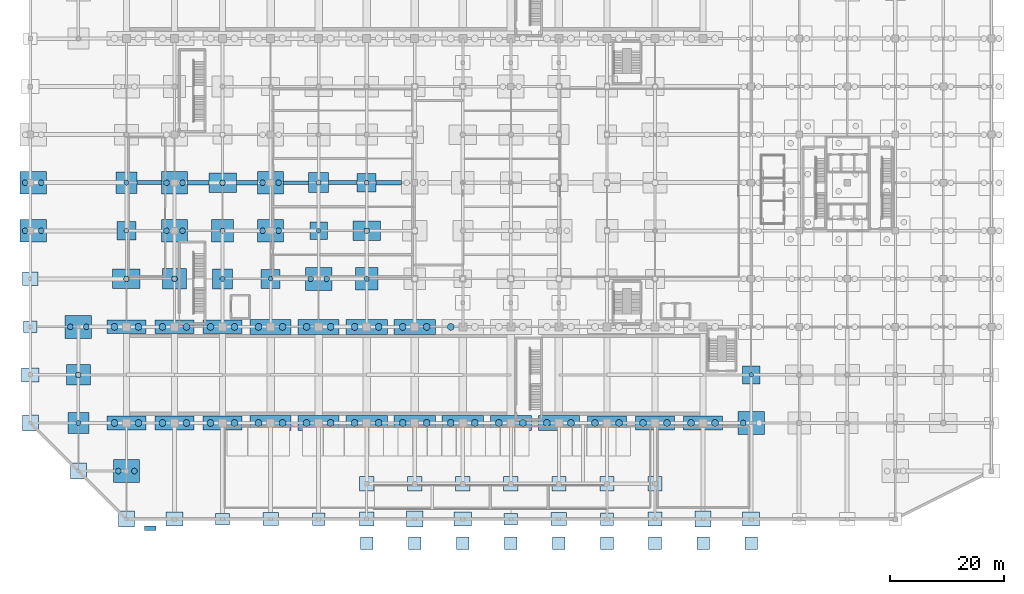
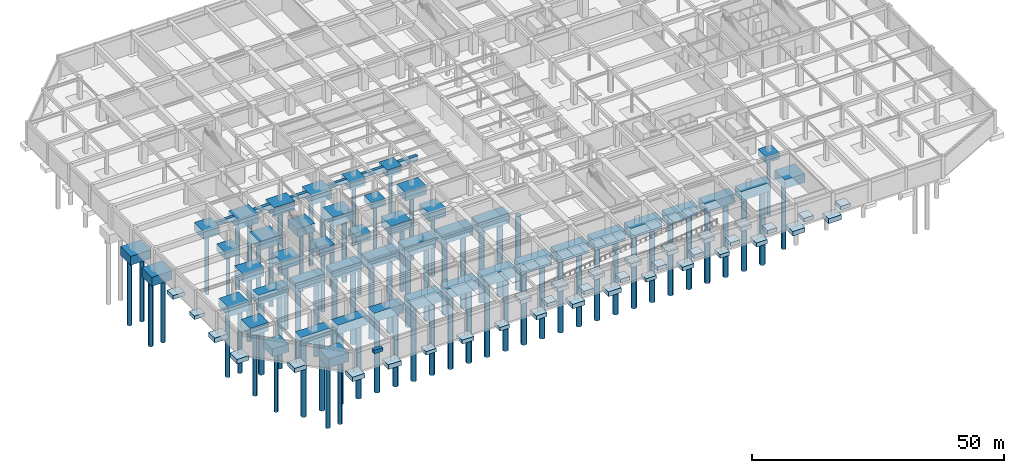
# One storey, part 1 of 26: 88 footings, 76 piles.
"""IFC4 building model written with IfcOpenShell, lengths in metres."""

from ifc_helpers import new_model, si_unit, direction, frame, origin, origin_2d, place, context, subcontext, project, spatial, rectangle, circle, extrude, material, material_profile, profile_set, type_object, element, save


model = new_model("IFC4")

# Units and contexts
model_context = context("Model", 3, precision=1e-05, world=origin(), true_north=direction((0.0, 1.0)))
body_context = subcontext(model_context, "Body", "Model", "MODEL_VIEW")
ifc_project = project(units=[si_unit("LENGTHUNIT", "METRE"), si_unit("AREAUNIT", "SQUARE_METRE"), si_unit("VOLUMEUNIT", "CUBIC_METRE"), si_unit("PLANEANGLEUNIT", "RADIAN"), si_unit("MASSUNIT", "GRAM", prefix="KILO")], contexts=[model_context])

# Site, building, storey
site_placement = place(None, origin())
site = spatial("IfcSite", under=ifc_project, at=site_placement, CompositionType="ELEMENT")
building_placement = place(site_placement, origin())
building = spatial("IfcBuilding", under=site, at=building_placement, Name="Xuanlan Plaza Opera House", CompositionType="ELEMENT")
storey_placement = place(building_placement, frame((0.0, 0.0, -5.39990234375)))
storey = spatial("IfcBuildingStorey", under=building, at=storey_placement, Name="B01", CompositionType="ELEMENT", Elevation=-5.39990234375)

# Footings
ifc_material_1 = material(Name="Concrete C40", Category="concrete")
footing_type_1 = type_object("IfcFootingType", Name="STR-FTG-FB-01", PredefinedType="FOOTING_BEAM", material=ifc_material_1)
footing_1_placement = place(storey_placement, frame((20.77490234375, 58.800048828125, -1.0), z_axis=(0.0, 0.0, 1.0), x_axis=(1.0, 0.0, 0.0)))
element("IfcFooting", 1, at=footing_1_placement, inside=storey, type_object=footing_type_1, Name="Foundation Tie Beam 3-4/H", PredefinedType="FOOTING_BEAM", context=body_context, shape_type="SweptSolid", body=[
    extrude(rectangle(XDim=4.25, YDim=0.699951171875, at=origin_2d()), origin(), (0.0, 0.0, 1.0), 1.0),
])
footing_2_placement = place(storey_placement, frame((54.64990234375, 58.800048828125, -1.0), z_axis=(0.0, 0.0, 1.0), x_axis=(1.0, 0.0, 0.0)))
element("IfcFooting", 2, at=footing_2_placement, inside=storey, type_object=footing_type_1, Name="Foundation Tie Beam 7-8/H", PredefinedType="FOOTING_BEAM", context=body_context, shape_type="SweptSolid", body=[
    extrude(rectangle(XDim=5.0, YDim=0.699951171875, at=origin_2d()), origin(), (0.0, 0.0, 1.0), 1.0),
])
footing_type_2 = type_object("IfcFootingType", Name="STR-FTG-FB-02", PredefinedType="FOOTING_BEAM", material=ifc_material_1)
footing_3_placement = place(storey_placement, frame((29.35009765625, 58.800048828125, -1.10009765625), z_axis=(0.0, 0.0, 1.0), x_axis=(1.0, 0.0, 0.0)))
element("IfcFooting", 3, at=footing_3_placement, inside=storey, type_object=footing_type_2, Name="Foundation Tie Beam 4-5/H", PredefinedType="FOOTING_BEAM", context=body_context, shape_type="SweptSolid", body=[
    extrude(rectangle(XDim=3.699951171875, YDim=0.800048828125, at=origin_2d()), origin(), (0.0, 0.0, 1.0), 1.10009765625),
])
footing_4_placement = place(storey_placement, frame((62.675048828125, 58.800048828125, -1.10009765625), z_axis=(0.0, 0.0, 1.0), x_axis=(1.0, 0.0, 0.0)))
element("IfcFooting", 4, at=footing_4_placement, inside=storey, type_object=footing_type_2, Name="Foundation Tie Beam 8-9/H", PredefinedType="FOOTING_BEAM", context=body_context, shape_type="SweptSolid", body=[
    extrude(rectangle(XDim=4.449951171875, YDim=0.800048828125, at=origin_2d()), origin(), (0.0, 0.0, 1.0), 1.10009765625),
])
footing_type_3 = type_object("IfcFootingType", Name="STR-FTG-FB-03", PredefinedType="FOOTING_BEAM", material=ifc_material_1)
footing_5_placement = place(storey_placement, frame((37.85009765625, 58.800048828125, -1.05029296875), z_axis=(0.0, 0.0, 1.0), x_axis=(1.0, 0.0, 0.0)))
element("IfcFooting", 5, at=footing_5_placement, inside=storey, type_object=footing_type_3, Name="Foundation Tie Beam 5-6/H", PredefinedType="FOOTING_BEAM", context=body_context, shape_type="SweptSolid", body=[
    extrude(rectangle(XDim=3.699951171875, YDim=0.75, at=origin_2d()), origin(), (0.0, 0.0, 1.0), 1.050048828125),
])
footing_type_4 = type_object("IfcFootingType", Name="STR-FTG-FB-04", PredefinedType="FOOTING_BEAM", material=ifc_material_1)
footing_6_placement = place(storey_placement, frame((46.47509765625, 58.800048828125, -0.9501953125), z_axis=(0.0, 0.0, 1.0), x_axis=(1.0, 0.0, 0.0)))
element("IfcFooting", 6, at=footing_6_placement, inside=storey, type_object=footing_type_4, Name="Foundation Tie Beam 6-7/H", PredefinedType="FOOTING_BEAM", context=body_context, shape_type="SweptSolid", body=[
    extrude(rectangle(XDim=4.35009765625, YDim=0.64990234375, at=origin_2d()), origin(), (0.0, 0.0, 1.0), 0.949951171875),
])
footing_type_5 = type_object("IfcFootingType", Name="STR-FTG-PC-01", PredefinedType="PILE_CAP", material=ifc_material_1)
for number, where, z_axis, x_axis, name in (
    (7, (50.39990234375, 50.39990234375, -1.60009765625), (0.0, 0.0, 1.0), (1.0, 0.0, 0.0), "Podium Pile Cap 7-G"),
    (8, (126.0, 25.199951171875, -1.60009765625), (0.0, 0.0, 1.0), (1.0, 0.0, 0.0), "Podium Pile Cap 16-D"),
):
    element("IfcFooting", number, at=place(storey_placement, frame(where, z_axis=z_axis, x_axis=x_axis)), inside=storey, type_object=footing_type_5, Name=name, PredefinedType="PILE_CAP", context=body_context, shape_type="SweptSolid", body=[
        extrude(rectangle(XDim=3.10009765625, YDim=3.10009765625, at=origin_2d()), origin(), (0.0, 0.0, 1.0), 1.60009765625),
    ])
footing_type_6 = type_object("IfcFootingType", Name="STR-FTG-PC-02", PredefinedType="PILE_CAP", material=ifc_material_1)
for number, where, z_axis, x_axis, name in (
    (9, (33.60009765625, 42.0, -1.80029296875), (0.0, 0.0, 1.0), (1.0, 0.0, 0.0), "Podium Pile Cap 5-F"),
    (10, (50.39990234375, 58.800048828125, -1.80029296875), (0.0, 0.0, 1.0), (1.0, 0.0, 0.0), "Podium Pile Cap 7-H"),
):
    element("IfcFooting", number, at=place(storey_placement, frame(where, z_axis=z_axis, x_axis=x_axis)), inside=storey, type_object=footing_type_6, Name=name, PredefinedType="PILE_CAP", context=body_context, shape_type="SweptSolid", body=[
        extrude(rectangle(XDim=3.5, YDim=3.5, at=origin_2d()), origin(), (0.0, 0.0, 1.0), 1.800048828125),
    ])
ifc_material_2 = material(Name="Concrete C50", Category="concrete")
footing_type_7 = type_object("IfcFootingType", Name="STR-FTG-PC-03", PredefinedType="PILE_CAP", material=ifc_material_2)
for number, where, z_axis, x_axis, name in (
    (11, (33.60009765625, 50.39990234375, -2.0), (0.0, 0.0, 1.0), (1.0, 0.0, 0.0), "Podium Pile Cap 5-G"),
    (12, (58.800048828125, 42.0, -2.0), (0.0, 0.0, 1.0), (1.0, 0.0, 0.0), "Podium Pile Cap 8-F"),
):
    element("IfcFooting", number, at=place(storey_placement, frame(where, z_axis=z_axis, x_axis=x_axis)), inside=storey, type_object=footing_type_7, Name=name, PredefinedType="PILE_CAP", context=body_context, shape_type="SweptSolid", body=[
        extrude(rectangle(XDim=3.89990234375, YDim=3.89990234375, at=origin_2d()), origin(), (0.0, 0.0, 1.0), 2.0),
    ])
footing_type_8 = type_object("IfcFootingType", Name="STR-FTG-PC-05", PredefinedType="PILE_CAP", material=ifc_material_2)
for number, where, z_axis, x_axis, name in (
    (13, (16.800048828125, 16.800048828125, -2.2001953125), (0.0, 0.0, 1.0), (1.0, 0.0, 0.0), "Metro Transfer Pile Cap 3-C"),
    (14, (16.800048828125, 33.60009765625, -2.2001953125), (0.0, 0.0, 1.0), (1.0, 0.0, 0.0), "Metro Transfer Pile Cap 3-E"),
    (15, (25.199951171875, 16.800048828125, -2.2001953125), (0.0, 0.0, 1.0), (1.0, 0.0, 0.0), "Metro Transfer Pile Cap 4-C"),
    (16, (25.199951171875, 33.60009765625, -2.2001953125), (0.0, 0.0, 1.0), (1.0, 0.0, 0.0), "Metro Transfer Pile Cap 4-E"),
    (17, (33.60009765625, 16.800048828125, -2.2001953125), (0.0, 0.0, 1.0), (1.0, 0.0, 0.0), "Metro Transfer Pile Cap 5-C"),
    (18, (33.60009765625, 33.60009765625, -2.2001953125), (0.0, 0.0, 1.0), (1.0, 0.0, 0.0), "Metro Transfer Pile Cap 5-E"),
    (19, (100.800048828125, 16.800048828125, -2.2001953125), (0.0, 0.0, 1.0), (1.0, 0.0, 0.0), "Metro Transfer Pile Cap 13-C"),
    (20, (109.199951171875, 16.800048828125, -2.2001953125), (0.0, 0.0, 1.0), (1.0, 0.0, 0.0), "Metro Transfer Pile Cap 14-C"),
    (21, (117.60009765625, 16.800048828125, -2.2001953125), (0.0, 0.0, 1.0), (1.0, 0.0, 0.0), "Metro Transfer Pile Cap 15-C"),
):
    element("IfcFooting", number, at=place(storey_placement, frame(where, z_axis=z_axis, x_axis=x_axis)), inside=storey, type_object=footing_type_8, Name=name, PredefinedType="PILE_CAP", context=body_context, shape_type="SweptSolid", body=[
        extrude(rectangle(XDim=6.800048828125, YDim=2.39990234375, at=origin_2d()), origin(), (0.0, 0.0, 1.0), 2.199951171875),
    ])
footing_type_9 = type_object("IfcFootingType", Name="STR-FTG-PC-06", PredefinedType="PILE_CAP", material=ifc_material_2)
for number, where, z_axis, x_axis, name in (
    (22, (42.0, 16.800048828125, -2.400146484375), (0.0, 0.0, 1.0), (1.0, 0.0, 0.0), "Metro Transfer Pile Cap 6-C"),
    (23, (42.0, 33.60009765625, -2.400146484375), (0.0, 0.0, 1.0), (1.0, 0.0, 0.0), "Metro Transfer Pile Cap 6-E"),
    (24, (50.39990234375, 16.800048828125, -2.400146484375), (0.0, 0.0, 1.0), (1.0, 0.0, 0.0), "Metro Transfer Pile Cap 7-C"),
    (25, (50.39990234375, 33.60009765625, -2.400146484375), (0.0, 0.0, 1.0), (1.0, 0.0, 0.0), "Metro Transfer Pile Cap 7-E"),
    (26, (58.800048828125, 16.800048828125, -2.400146484375), (0.0, 0.0, 1.0), (1.0, 0.0, 0.0), "Metro Transfer Pile Cap 8-C"),
    (27, (58.800048828125, 33.60009765625, -2.400146484375), (0.0, 0.0, 1.0), (1.0, 0.0, 0.0), "Metro Transfer Pile Cap 8-E"),
    (28, (67.199951171875, 16.800048828125, -2.400146484375), (0.0, 0.0, 1.0), (1.0, 0.0, 0.0), "Metro Transfer Pile Cap 9-C"),
    (29, (67.199951171875, 33.60009765625, -2.400146484375), (0.0, 0.0, 1.0), (1.0, 0.0, 0.0), "Metro Transfer Pile Cap 9-E"),
    (30, (75.60009765625, 16.800048828125, -2.400146484375), (0.0, 0.0, 1.0), (1.0, 0.0, 0.0), "Metro Transfer Pile Cap 10-C"),
    (31, (84.0, 16.800048828125, -2.400146484375), (0.0, 0.0, 1.0), (1.0, 0.0, 0.0), "Metro Transfer Pile Cap 11-C"),
    (32, (92.39990234375, 16.800048828125, -2.400146484375), (0.0, 0.0, 1.0), (1.0, 0.0, 0.0), "Metro Transfer Pile Cap 12-C"),
):
    element("IfcFooting", number, at=place(storey_placement, frame(where, z_axis=z_axis, x_axis=x_axis)), inside=storey, type_object=footing_type_9, Name=name, PredefinedType="PILE_CAP", context=body_context, shape_type="SweptSolid", body=[
        extrude(rectangle(XDim=7.199951171875, YDim=2.60009765625, at=origin_2d()), origin(), (0.0, 0.0, 1.0), 2.39990234375),
    ])
footing_type_10 = type_object("IfcFootingType", Name="STR-FTG-PC-07", PredefinedType="PILE_CAP", material=ifc_material_2)
for number, where, z_axis, x_axis, name in (
    (33, (16.800048828125, 42.0, -2.10009765625), (0.0, 0.0, 1.0), (1.0, 0.0, 0.0), "Podium Pile Cap 3-F"),
    (34, (33.60009765625, 58.800048828125, -2.10009765625), (0.0, 0.0, 1.0), (1.0, 0.0, 0.0), "Podium Pile Cap 5-H"),
    (35, (58.800048828125, 50.39990234375, -2.10009765625), (0.0, 0.0, 1.0), (1.0, 0.0, 0.0), "Podium Pile Cap 8-G"),
):
    element("IfcFooting", number, at=place(storey_placement, frame(where, z_axis=z_axis, x_axis=x_axis)), inside=storey, type_object=footing_type_10, Name=name, PredefinedType="PILE_CAP", context=body_context, shape_type="SweptSolid", body=[
        extrude(rectangle(XDim=4.800048828125, YDim=3.39990234375, at=origin_2d()), origin(), (0.0, 0.0, 1.0), 2.10009765625),
    ])
footing_type_11 = type_object("IfcFootingType", Name="STR-FTG-PC-09", PredefinedType="PILE_CAP", material=ifc_material_1)
for number, where, z_axis, x_axis, name in (
    (36, (16.800048828125, 50.39990234375, -1.7001953125), (0.0, 0.0, 1.0), (1.0, 0.0, 0.0), "Podium Pile Cap 3-G"),
    (37, (42.0, 42.0, -1.7001953125), (0.0, 0.0, 1.0), (1.0, 0.0, 0.0), "Podium Pile Cap 6-F"),
    (38, (58.800048828125, 58.800048828125, -1.7001953125), (0.0, 0.0, 1.0), (1.0, 0.0, 0.0), "Podium Pile Cap 8-H"),
):
    element("IfcFooting", number, at=place(storey_placement, frame(where, z_axis=z_axis, x_axis=x_axis)), inside=storey, type_object=footing_type_11, Name=name, PredefinedType="PILE_CAP", context=body_context, shape_type="SweptSolid", body=[
        extrude(rectangle(XDim=3.300048828125, YDim=3.300048828125, at=origin_2d()), origin(), (0.0, 0.0, 1.0), 1.699951171875),
    ])
footing_type_12 = type_object("IfcFootingType", Name="STR-FTG-PC-10", PredefinedType="PILE_CAP", material=ifc_material_1)
for number, where, z_axis, x_axis, name in (
    (39, (8.39990234375, 16.800048828125, -1.900146484375), (0.0, 0.0, 1.0), (1.0, 0.0, 0.0), "Podium Pile Cap 2-C"),
    (40, (16.800048828125, 58.800048828125, -1.900146484375), (0.0, 0.0, 1.0), (1.0, 0.0, 0.0), "Podium Pile Cap 3-H"),
):
    element("IfcFooting", number, at=place(storey_placement, frame(where, z_axis=z_axis, x_axis=x_axis)), inside=storey, type_object=footing_type_12, Name=name, PredefinedType="PILE_CAP", context=body_context, shape_type="SweptSolid", body=[
        extrude(rectangle(XDim=3.699951171875, YDim=3.699951171875, at=origin_2d()), origin(), (0.0, 0.0, 1.0), 1.89990234375),
    ])
footing_type_13 = type_object("IfcFootingType", Name="STR-FTG-PC-11", PredefinedType="PILE_CAP", material=ifc_material_2)
for number, where, z_axis, x_axis, name in (
    (41, (8.39990234375, 25.199951171875, -2.05029296875), (0.0, 0.0, 1.0), (1.0, 0.0, 0.0), "Podium Pile Cap 2-D"),
    (42, (25.199951171875, 42.0, -2.05029296875), (0.0, 0.0, 1.0), (1.0, 0.0, 0.0), "Podium Pile Cap 4-F"),
):
    element("IfcFooting", number, at=place(storey_placement, frame(where, z_axis=z_axis, x_axis=x_axis)), inside=storey, type_object=footing_type_13, Name=name, PredefinedType="PILE_CAP", context=body_context, shape_type="SweptSolid", body=[
        extrude(rectangle(XDim=4.199951171875, YDim=3.60009765625, at=origin_2d()), origin(), (0.0, 0.0, 1.0), 2.050048828125),
    ])
footing_type_14 = type_object("IfcFootingType", Name="STR-FTG-PC-12", PredefinedType="PILE_CAP", material=ifc_material_2)
for number, where, z_axis, x_axis, name in (
    (43, (0.5, 50.39990234375, -2.150146484375), (0.0, 0.0, 1.0), (1.0, 0.0, 0.0), "Heavy Girder Transfer Pile Cap 1-G"),
    (44, (0.5, 58.800048828125, -2.150146484375), (0.0, 0.0, 1.0), (1.0, 0.0, 0.0), "Heavy Girder Transfer Pile Cap 1-H"),
    (45, (8.39990234375, 33.60009765625, -2.150146484375), (0.0, 0.0, 1.0), (1.0, 0.0, 0.0), "Podium Pile Cap 2-E"),
    (46, (16.800048828125, 8.39990234375, -2.150146484375), (0.0, 0.0, 1.0), (1.0, 0.0, 0.0), "Podium Pile Cap 3-B"),
    (47, (25.199951171875, 50.39990234375, -2.150146484375), (0.0, 0.0, 1.0), (1.0, 0.0, 0.0), "Heavy Girder Transfer Pile Cap 4-G"),
    (48, (25.199951171875, 58.800048828125, -2.150146484375), (0.0, 0.0, 1.0), (1.0, 0.0, 0.0), "Heavy Girder Transfer Pile Cap 4-H"),
    (49, (42.0, 50.39990234375, -2.150146484375), (0.0, 0.0, 1.0), (1.0, 0.0, 0.0), "Heavy Girder Transfer Pile Cap 6-G"),
    (50, (42.0, 58.800048828125, -2.150146484375), (0.0, 0.0, 1.0), (1.0, 0.0, 0.0), "Heavy Girder Transfer Pile Cap 6-H"),
    (51, (50.39990234375, 42.0, -2.150146484375), (0.0, 0.0, 1.0), (1.0, 0.0, 0.0), "Podium Pile Cap 7-F"),
    (52, (126.0, 16.800048828125, -2.150146484375), (0.0, 0.0, 1.0), (1.0, 0.0, 0.0), "Podium Pile Cap 16-C"),
):
    element("IfcFooting", number, at=place(storey_placement, frame(where, z_axis=z_axis, x_axis=x_axis)), inside=storey, type_object=footing_type_14, Name=name, PredefinedType="PILE_CAP", context=body_context, shape_type="SweptSolid", body=[
        extrude(rectangle(XDim=4.60009765625, YDim=4.0, at=origin_2d()), origin(), (0.0, 0.0, 1.0), 2.14990234375),
    ])
footing_type_15 = type_object("IfcFootingType", Name="STR-FTG-PF-01", PredefinedType="PAD_FOOTING", material=ifc_material_1)
for number, where, z_axis, x_axis, name in (
    (53, (50.39990234375, 0.0, -0.900146484375), (0.0, 0.0, 1.0), (1.0, 0.0, 0.0), "Perimeter Pad Footing 7-A"),
    (54, (100.800048828125, 0.0, -0.900146484375), (0.0, 0.0, 1.0), (1.0, 0.0, 0.0), "Perimeter Pad Footing 13-A"),
    (55, (58.800048828125, -4.199951171875, 4.5), (0.0, 0.0, 1.0), (1.0, 0.0, 0.0), "Plaza Canopy Pier Pad Footing Grid 8"),
    (56, (67.199951171875, -4.199951171875, 4.5), (0.0, 0.0, 1.0), (1.0, 0.0, 0.0), "Plaza Canopy Pier Pad Footing Grid 9"),
    (57, (75.60009765625, -4.199951171875, 4.5), (0.0, 0.0, 1.0), (1.0, 0.0, 0.0), "Plaza Canopy Pier Pad Footing Grid 10"),
    (58, (84.0, -4.199951171875, 4.5), (0.0, 0.0, 1.0), (1.0, 0.0, 0.0), "Plaza Canopy Pier Pad Footing Grid 11"),
    (59, (92.39990234375, -4.199951171875, 4.5), (0.0, 0.0, 1.0), (1.0, 0.0, 0.0), "Plaza Canopy Pier Pad Footing Grid 12"),
    (60, (100.800048828125, -4.199951171875, 4.5), (0.0, 0.0, 1.0), (1.0, 0.0, 0.0), "Plaza Canopy Pier Pad Footing Grid 13"),
    (61, (109.199951171875, -4.199951171875, 4.5), (0.0, 0.0, 1.0), (1.0, 0.0, 0.0), "Plaza Canopy Pier Pad Footing Grid 14"),
    (62, (117.60009765625, -4.199951171875, 4.5), (0.0, 0.0, 1.0), (1.0, 0.0, 0.0), "Plaza Canopy Pier Pad Footing Grid 15"),
    (63, (126.0, -4.199951171875, 4.5), (0.0, 0.0, 1.0), (1.0, 0.0, 0.0), "Plaza Canopy Pier Pad Footing Grid 16"),
):
    element("IfcFooting", number, at=place(storey_placement, frame(where, z_axis=z_axis, x_axis=x_axis)), inside=storey, type_object=footing_type_15, Name=name, PredefinedType="PAD_FOOTING", context=body_context, shape_type="SweptSolid", body=[
        extrude(rectangle(XDim=2.199951171875, YDim=2.199951171875, at=origin_2d()), origin(), (0.0, 0.0, 1.0), 0.89990234375),
    ])
footing_type_16 = type_object("IfcFootingType", Name="STR-FTG-PF-02", PredefinedType="PAD_FOOTING", material=ifc_material_1)
for number, where, z_axis, x_axis, name in (
    (64, (58.800048828125, 0.0, -1.0), (0.0, 0.0, 1.0), (1.0, 0.0, 0.0), "Perimeter Pad Footing 8-A"),
    (65, (109.199951171875, 0.0, -1.0), (0.0, 0.0, 1.0), (1.0, 0.0, 0.0), "Perimeter Pad Footing 14-A"),
    (66, (58.800048828125, 6.199951171875, -1.0), (0.0, 0.0, 1.0), (1.0, 0.0, 0.0), "Vehicle Ramp Opening Pad Footing X58"),
    (67, (67.199951171875, 6.199951171875, -1.0), (0.0, 0.0, 1.0), (1.0, 0.0, 0.0), "Vehicle Ramp Opening Pad Footing X67"),
    (68, (75.60009765625, 6.199951171875, -1.0), (0.0, 0.0, 1.0), (1.0, 0.0, 0.0), "Vehicle Ramp Opening Pad Footing X75"),
    (69, (84.0, 6.199951171875, -1.0), (0.0, 0.0, 1.0), (1.0, 0.0, 0.0), "Vehicle Ramp Opening Pad Footing X84"),
    (70, (92.39990234375, 6.199951171875, -1.0), (0.0, 0.0, 1.0), (1.0, 0.0, 0.0), "Vehicle Ramp Opening Pad Footing X92"),
    (71, (100.800048828125, 6.199951171875, -1.0), (0.0, 0.0, 1.0), (1.0, 0.0, 0.0), "Vehicle Ramp Opening Pad Footing X100"),
    (72, (109.199951171875, 6.199951171875, -1.0), (0.0, 0.0, 1.0), (1.0, 0.0, 0.0), "Vehicle Ramp Opening Pad Footing X109"),
):
    element("IfcFooting", number, at=place(storey_placement, frame(where, z_axis=z_axis, x_axis=x_axis)), inside=storey, type_object=footing_type_16, Name=name, PredefinedType="PAD_FOOTING", context=body_context, shape_type="SweptSolid", body=[
        extrude(rectangle(XDim=2.5, YDim=2.5, at=origin_2d()), origin(), (0.0, 0.0, 1.0), 1.0),
    ])
footing_type_17 = type_object("IfcFootingType", Name="STR-FTG-PF-03", PredefinedType="PAD_FOOTING", material=ifc_material_1)
for number, where, z_axis, x_axis, name in (
    (73, (0.0, 16.800048828125, -1.10009765625), (0.0, 0.0, 1.0), (1.0, 0.0, 0.0), "Perimeter Pad Footing 1-C"),
    (74, (8.39990234375, 8.39990234375, -1.10009765625), (0.0, 0.0, 1.0), (1.0, 0.0, 0.0), "Perimeter Pad Footing 2-B"),
    (75, (16.800048828125, 0.0, -1.10009765625), (0.0, 0.0, 1.0), (1.0, 0.0, 0.0), "Perimeter Pad Footing 3-A"),
    (76, (67.199951171875, 0.0, -1.10009765625), (0.0, 0.0, 1.0), (1.0, 0.0, 0.0), "Perimeter Pad Footing 9-A"),
    (77, (117.60009765625, 0.0, -1.10009765625), (0.0, 0.0, 1.0), (1.0, 0.0, 0.0), "Perimeter Pad Footing 15-A"),
):
    element("IfcFooting", number, at=place(storey_placement, frame(where, z_axis=z_axis, x_axis=x_axis)), inside=storey, type_object=footing_type_17, Name=name, PredefinedType="PAD_FOOTING", context=body_context, shape_type="SweptSolid", body=[
        extrude(rectangle(XDim=2.800048828125, YDim=2.800048828125, at=origin_2d()), origin(), (0.0, 0.0, 1.0), 1.10009765625),
    ])
footing_type_18 = type_object("IfcFootingType", Name="STR-FTG-PF-04", PredefinedType="PAD_FOOTING", material=ifc_material_1)
for number, where, z_axis, x_axis, name in (
    (78, (0.0, 25.199951171875, -1.150146484375), (0.0, 0.0, 1.0), (1.0, 0.0, 0.0), "Perimeter Pad Footing 1-D"),
    (79, (25.199951171875, 0.0, -1.150146484375), (0.0, 0.0, 1.0), (1.0, 0.0, 0.0), "Perimeter Pad Footing 4-A"),
    (80, (75.60009765625, 0.0, -1.150146484375), (0.0, 0.0, 1.0), (1.0, 0.0, 0.0), "Perimeter Pad Footing 10-A"),
    (81, (126.0, 0.0, -1.150146484375), (0.0, 0.0, 1.0), (1.0, 0.0, 0.0), "Perimeter Pad Footing 16-A"),
):
    element("IfcFooting", number, at=place(storey_placement, frame(where, z_axis=z_axis, x_axis=x_axis)), inside=storey, type_object=footing_type_18, Name=name, PredefinedType="PAD_FOOTING", context=body_context, shape_type="SweptSolid", body=[
        extrude(rectangle(XDim=3.0, YDim=2.39990234375, at=origin_2d()), origin(), (0.0, 0.0, 1.0), 1.14990234375),
    ])
footing_type_19 = type_object("IfcFootingType", Name="STR-FTG-PF-05", PredefinedType="PAD_FOOTING", material=ifc_material_1)
for number, where, z_axis, x_axis, name in (
    (82, (0.0, 33.60009765625, -0.85009765625), (0.0, 0.0, 1.0), (1.0, 0.0, 0.0), "Perimeter Pad Footing 1-E"),
    (83, (33.60009765625, 0.0, -0.85009765625), (0.0, 0.0, 1.0), (1.0, 0.0, 0.0), "Perimeter Pad Footing 5-A"),
    (84, (84.0, 0.0, -0.85009765625), (0.0, 0.0, 1.0), (1.0, 0.0, 0.0), "Perimeter Pad Footing 11-A"),
):
    element("IfcFooting", number, at=place(storey_placement, frame(where, z_axis=z_axis, x_axis=x_axis)), inside=storey, type_object=footing_type_19, Name=name, PredefinedType="PAD_FOOTING", context=body_context, shape_type="SweptSolid", body=[
        extrude(rectangle(XDim=2.39990234375, YDim=2.0, at=origin_2d()), origin(), (0.0, 0.0, 1.0), 0.85009765625),
    ])
footing_type_20 = type_object("IfcFootingType", Name="STR-FTG-PF-06", PredefinedType="PAD_FOOTING", material=ifc_material_1)
for number, where, z_axis, x_axis, name in (
    (85, (0.0, 42.0, -0.9501953125), (0.0, 0.0, 1.0), (1.0, 0.0, 0.0), "Perimeter Pad Footing 1-F"),
    (86, (42.0, 0.0, -0.9501953125), (0.0, 0.0, 1.0), (1.0, 0.0, 0.0), "Perimeter Pad Footing 6-A"),
    (87, (92.39990234375, 0.0, -0.9501953125), (0.0, 0.0, 1.0), (1.0, 0.0, 0.0), "Perimeter Pad Footing 12-A"),
):
    element("IfcFooting", number, at=place(storey_placement, frame(where, z_axis=z_axis, x_axis=x_axis)), inside=storey, type_object=footing_type_20, Name=name, PredefinedType="PAD_FOOTING", context=body_context, shape_type="SweptSolid", body=[
        extrude(rectangle(XDim=2.699951171875, YDim=2.300048828125, at=origin_2d()), origin(), (0.0, 0.0, 1.0), 0.949951171875),
    ])
footing_type_21 = type_object("IfcFootingType", Name="STR-FTG-PF-07", PredefinedType="PAD_FOOTING", material=ifc_material_1)
footing_7_placement = place(storey_placement, frame((21.0, -1.580078125, 4.394775390625), z_axis=(0.0, 0.0, 1.0), x_axis=(1.0, 0.0, 0.0)))
element("IfcFooting", 88, at=footing_7_placement, inside=storey, type_object=footing_type_21, Name="Plaza Accessible Ramp Toe Footing", PredefinedType="PAD_FOOTING", context=body_context, shape_type="SweptSolid", body=[
    extrude(rectangle(XDim=2.0, YDim=0.760009765625, at=origin_2d()), origin(), (0.0, 0.0, 1.0), 0.85009765625),
])

# Piles
ifc_material_profile_1 = material_profile(ifc_material_1, circle(Radius=0.39990234375, at=origin_2d()), Name="PILE D800")
ifc_profile_set_1 = profile_set([ifc_material_profile_1], Name="Concrete C40")
pile_type_1 = type_object("IfcPileType", Name="STR-PILE-01", PredefinedType="BORED", material=ifc_profile_set_1)
for number, where, z_axis, x_axis, name in (
    (89, (16.800048828125, 50.39990234375, -1.550048828125), (0.0, 0.0, -1.0), (1.0, 0.0, 0.0), "Bored Pile 3-G-P1"),
    (90, (42.0, 42.0, -1.550048828125), (0.0, 0.0, -1.0), (1.0, 0.0, 0.0), "Bored Pile 6-F-P1"),
    (91, (50.39990234375, 50.39990234375, -1.4501953125), (0.0, 0.0, -1.0), (1.0, 0.0, 0.0), "Bored Pile 7-G-P1"),
    (92, (58.800048828125, 58.800048828125, -1.550048828125), (0.0, 0.0, -1.0), (1.0, 0.0, 0.0), "Bored Pile 8-H-P1"),
    (93, (126.0, 25.199951171875, -1.4501953125), (0.0, 0.0, -1.0), (1.0, 0.0, 0.0), "Bored Pile 16-D-P1"),
):
    element("IfcPile", number, at=place(storey_placement, frame(where, z_axis=z_axis, x_axis=x_axis)), inside=storey, type_object=pile_type_1, Name=name, PredefinedType="BORED", context=body_context, shape_type="SweptSolid", body=[
        extrude(circle(Radius=0.39990234375, at=origin_2d()), origin(), (0.0, 0.0, 1.0), 14.0),
    ])
ifc_material_profile_2 = material_profile(ifc_material_1, circle(Radius=0.449951171875, at=origin_2d()), Name="PILE D900")
ifc_profile_set_2 = profile_set([ifc_material_profile_2], Name="Concrete C40")
pile_type_2 = type_object("IfcPileType", Name="STR-PILE-02", PredefinedType="BORED", material=ifc_profile_set_2)
for number, where, z_axis, x_axis, name in (
    (94, (8.39990234375, 16.800048828125, -1.75), (0.0, 0.0, -1.0), (1.0, 0.0, 0.0), "Bored Pile 2-C-P1"),
    (95, (16.800048828125, 58.800048828125, -1.75), (0.0, 0.0, -1.0), (1.0, 0.0, 0.0), "Bored Pile 3-H-P1"),
    (96, (33.60009765625, 42.0, -1.650146484375), (0.0, 0.0, -1.0), (1.0, 0.0, 0.0), "Bored Pile 5-F-P1"),
    (97, (33.60009765625, 50.39990234375, -1.85009765625), (0.0, 0.0, -1.0), (1.0, 0.0, 0.0), "Bored Pile 5-G-P1"),
    (98, (50.39990234375, 58.800048828125, -1.650146484375), (0.0, 0.0, -1.0), (1.0, 0.0, 0.0), "Bored Pile 7-H-P1"),
    (99, (58.800048828125, 42.0, -1.85009765625), (0.0, 0.0, -1.0), (1.0, 0.0, 0.0), "Bored Pile 8-F-P1"),
):
    element("IfcPile", number, at=place(storey_placement, frame(where, z_axis=z_axis, x_axis=x_axis)), inside=storey, type_object=pile_type_2, Name=name, PredefinedType="BORED", context=body_context, shape_type="SweptSolid", body=[
        extrude(circle(Radius=0.449951171875, at=origin_2d()), origin(), (0.0, 0.0, 1.0), 15.0),
    ])
ifc_material_profile_3 = material_profile(ifc_material_1, circle(Radius=0.5, at=origin_2d()), Name="PILE D1000")
ifc_profile_set_3 = profile_set([ifc_material_profile_3], Name="Concrete C40")
pile_type_3 = type_object("IfcPileType", Name="STR-PILE-03", PredefinedType="BORED", material=ifc_profile_set_3)
for number, where, z_axis, x_axis, name in (
    (100, (-0.89990234375, 50.39990234375, -2.0), (0.0, 0.0, -1.0), (1.0, 0.0, 0.0), "Bored Pile 1-G-P1"),
    (101, (1.89990234375, 50.39990234375, -2.0), (0.0, 0.0, -1.0), (1.0, 0.0, 0.0), "Bored Pile 1-G-P2"),
    (102, (-0.89990234375, 58.800048828125, -2.0), (0.0, 0.0, -1.0), (1.0, 0.0, 0.0), "Bored Pile 1-H-P1"),
    (103, (1.89990234375, 58.800048828125, -2.0), (0.0, 0.0, -1.0), (1.0, 0.0, 0.0), "Bored Pile 1-H-P2"),
    (104, (8.39990234375, 25.199951171875, -1.900146484375), (0.0, 0.0, -1.0), (1.0, 0.0, 0.0), "Bored Pile 2-D-P1"),
    (105, (7.0, 33.60009765625, -2.0), (0.0, 0.0, -1.0), (1.0, 0.0, 0.0), "Bored Pile 2-E-P1"),
    (106, (9.800048828125, 33.60009765625, -2.0), (0.0, 0.0, -1.0), (1.0, 0.0, 0.0), "Bored Pile 2-E-P2"),
    (107, (15.39990234375, 8.39990234375, -2.0), (0.0, 0.0, -1.0), (1.0, 0.0, 0.0), "Bored Pile 3-B-P1"),
    (108, (18.199951171875, 8.39990234375, -2.0), (0.0, 0.0, -1.0), (1.0, 0.0, 0.0), "Bored Pile 3-B-P2"),
    (109, (16.800048828125, 42.0, -1.9501953125), (0.0, 0.0, -1.0), (1.0, 0.0, 0.0), "Bored Pile 3-F-P1"),
    (110, (25.199951171875, 42.0, -1.900146484375), (0.0, 0.0, -1.0), (1.0, 0.0, 0.0), "Bored Pile 4-F-P1"),
    (111, (23.800048828125, 50.39990234375, -2.0), (0.0, 0.0, -1.0), (1.0, 0.0, 0.0), "Bored Pile 4-G-P1"),
    (112, (26.60009765625, 50.39990234375, -2.0), (0.0, 0.0, -1.0), (1.0, 0.0, 0.0), "Bored Pile 4-G-P2"),
    (113, (23.800048828125, 58.800048828125, -2.0), (0.0, 0.0, -1.0), (1.0, 0.0, 0.0), "Bored Pile 4-H-P1"),
    (114, (26.60009765625, 58.800048828125, -2.0), (0.0, 0.0, -1.0), (1.0, 0.0, 0.0), "Bored Pile 4-H-P2"),
    (115, (33.60009765625, 58.800048828125, -1.9501953125), (0.0, 0.0, -1.0), (1.0, 0.0, 0.0), "Bored Pile 5-H-P1"),
    (116, (40.60009765625, 50.39990234375, -2.0), (0.0, 0.0, -1.0), (1.0, 0.0, 0.0), "Bored Pile 6-G-P1"),
    (117, (43.39990234375, 50.39990234375, -2.0), (0.0, 0.0, -1.0), (1.0, 0.0, 0.0), "Bored Pile 6-G-P2"),
    (118, (40.60009765625, 58.800048828125, -2.0), (0.0, 0.0, -1.0), (1.0, 0.0, 0.0), "Bored Pile 6-H-P1"),
    (119, (43.39990234375, 58.800048828125, -2.0), (0.0, 0.0, -1.0), (1.0, 0.0, 0.0), "Bored Pile 6-H-P2"),
    (120, (49.0, 42.0, -2.0), (0.0, 0.0, -1.0), (1.0, 0.0, 0.0), "Bored Pile 7-F-P1"),
    (121, (51.800048828125, 42.0, -2.0), (0.0, 0.0, -1.0), (1.0, 0.0, 0.0), "Bored Pile 7-F-P2"),
    (122, (58.800048828125, 50.39990234375, -1.9501953125), (0.0, 0.0, -1.0), (1.0, 0.0, 0.0), "Bored Pile 8-G-P1"),
    (123, (124.60009765625, 16.800048828125, -2.0), (0.0, 0.0, -1.0), (1.0, 0.0, 0.0), "Bored Pile 16-C-P1"),
):
    element("IfcPile", number, at=place(storey_placement, frame(where, z_axis=z_axis, x_axis=x_axis)), inside=storey, type_object=pile_type_3, Name=name, PredefinedType="BORED", context=body_context, shape_type="SweptSolid", body=[
        extrude(circle(Radius=0.5, at=origin_2d()), origin(), (0.0, 0.0, 1.0), 16.0),
    ])
ifc_material_profile_4 = material_profile(ifc_material_1, circle(Radius=0.60009765625, at=origin_2d()), Name="PILE D1200")
ifc_profile_set_4 = profile_set([ifc_material_profile_4], Name="Concrete C40")
pile_type_4 = type_object("IfcPileType", Name="STR-PILE-04", PredefinedType="BORED", material=ifc_profile_set_4)
for number, where, z_axis, x_axis, name in (
    (124, (14.699951171875, 16.800048828125, -2.050048828125), (0.0, 0.0, -1.0), (1.0, 0.0, 0.0), "Bored Pile 3-C-P1"),
    (125, (18.89990234375, 16.800048828125, -2.050048828125), (0.0, 0.0, -1.0), (1.0, 0.0, 0.0), "Bored Pile 3-C-P2"),
    (126, (14.699951171875, 33.60009765625, -2.050048828125), (0.0, 0.0, -1.0), (1.0, 0.0, 0.0), "Bored Pile 3-E-P1"),
    (127, (18.89990234375, 33.60009765625, -2.050048828125), (0.0, 0.0, -1.0), (1.0, 0.0, 0.0), "Bored Pile 3-E-P2"),
    (128, (23.10009765625, 16.800048828125, -2.050048828125), (0.0, 0.0, -1.0), (1.0, 0.0, 0.0), "Bored Pile 4-C-P1"),
    (129, (27.300048828125, 16.800048828125, -2.050048828125), (0.0, 0.0, -1.0), (1.0, 0.0, 0.0), "Bored Pile 4-C-P2"),
    (130, (23.10009765625, 33.60009765625, -2.050048828125), (0.0, 0.0, -1.0), (1.0, 0.0, 0.0), "Bored Pile 4-E-P1"),
    (131, (27.300048828125, 33.60009765625, -2.050048828125), (0.0, 0.0, -1.0), (1.0, 0.0, 0.0), "Bored Pile 4-E-P2"),
    (132, (31.5, 16.800048828125, -2.050048828125), (0.0, 0.0, -1.0), (1.0, 0.0, 0.0), "Bored Pile 5-C-P1"),
    (133, (35.699951171875, 16.800048828125, -2.050048828125), (0.0, 0.0, -1.0), (1.0, 0.0, 0.0), "Bored Pile 5-C-P2"),
    (134, (31.5, 33.60009765625, -2.050048828125), (0.0, 0.0, -1.0), (1.0, 0.0, 0.0), "Bored Pile 5-E-P1"),
    (135, (35.699951171875, 33.60009765625, -2.050048828125), (0.0, 0.0, -1.0), (1.0, 0.0, 0.0), "Bored Pile 5-E-P2"),
    (136, (39.89990234375, 16.800048828125, -2.25), (0.0, 0.0, -1.0), (1.0, 0.0, 0.0), "Bored Pile 6-C-P1"),
    (137, (44.10009765625, 16.800048828125, -2.25), (0.0, 0.0, -1.0), (1.0, 0.0, 0.0), "Bored Pile 6-C-P2"),
    (138, (39.89990234375, 33.60009765625, -2.25), (0.0, 0.0, -1.0), (1.0, 0.0, 0.0), "Bored Pile 6-E-P1"),
    (139, (44.10009765625, 33.60009765625, -2.25), (0.0, 0.0, -1.0), (1.0, 0.0, 0.0), "Bored Pile 6-E-P2"),
    (140, (48.300048828125, 16.800048828125, -2.25), (0.0, 0.0, -1.0), (1.0, 0.0, 0.0), "Bored Pile 7-C-P1"),
    (141, (52.5, 16.800048828125, -2.25), (0.0, 0.0, -1.0), (1.0, 0.0, 0.0), "Bored Pile 7-C-P2"),
    (142, (48.300048828125, 33.60009765625, -2.25), (0.0, 0.0, -1.0), (1.0, 0.0, 0.0), "Bored Pile 7-E-P1"),
    (143, (52.5, 33.60009765625, -2.25), (0.0, 0.0, -1.0), (1.0, 0.0, 0.0), "Bored Pile 7-E-P2"),
    (144, (56.699951171875, 16.800048828125, -2.25), (0.0, 0.0, -1.0), (1.0, 0.0, 0.0), "Bored Pile 8-C-P1"),
    (145, (60.89990234375, 16.800048828125, -2.25), (0.0, 0.0, -1.0), (1.0, 0.0, 0.0), "Bored Pile 8-C-P2"),
    (146, (56.699951171875, 33.60009765625, -2.25), (0.0, 0.0, -1.0), (1.0, 0.0, 0.0), "Bored Pile 8-E-P1"),
    (147, (60.89990234375, 33.60009765625, -2.25), (0.0, 0.0, -1.0), (1.0, 0.0, 0.0), "Bored Pile 8-E-P2"),
    (148, (65.10009765625, 16.800048828125, -2.25), (0.0, 0.0, -1.0), (1.0, 0.0, 0.0), "Bored Pile 9-C-P1"),
    (149, (69.300048828125, 16.800048828125, -2.25), (0.0, 0.0, -1.0), (1.0, 0.0, 0.0), "Bored Pile 9-C-P2"),
    (150, (65.10009765625, 33.60009765625, -2.25), (0.0, 0.0, -1.0), (1.0, 0.0, 0.0), "Bored Pile 9-E-P1"),
    (151, (69.300048828125, 33.60009765625, -2.25), (0.0, 0.0, -1.0), (1.0, 0.0, 0.0), "Bored Pile 9-E-P2"),
    (152, (73.5, 16.800048828125, -2.25), (0.0, 0.0, -1.0), (1.0, 0.0, 0.0), "Bored Pile 10-C-P1"),
    (153, (77.699951171875, 16.800048828125, -2.25), (0.0, 0.0, -1.0), (1.0, 0.0, 0.0), "Bored Pile 10-C-P2"),
    (154, (73.5, 33.60009765625, -2.25), (0.0, 0.0, -1.0), (1.0, 0.0, 0.0), "Bored Pile 10-E-P1"),
    (155, (81.89990234375, 16.800048828125, -2.25), (0.0, 0.0, -1.0), (1.0, 0.0, 0.0), "Bored Pile 11-C-P1"),
    (156, (86.10009765625, 16.800048828125, -2.25), (0.0, 0.0, -1.0), (1.0, 0.0, 0.0), "Bored Pile 11-C-P2"),
    (157, (90.300048828125, 16.800048828125, -2.25), (0.0, 0.0, -1.0), (1.0, 0.0, 0.0), "Bored Pile 12-C-P1"),
    (158, (94.5, 16.800048828125, -2.25), (0.0, 0.0, -1.0), (1.0, 0.0, 0.0), "Bored Pile 12-C-P2"),
    (159, (98.699951171875, 16.800048828125, -2.050048828125), (0.0, 0.0, -1.0), (1.0, 0.0, 0.0), "Bored Pile 13-C-P1"),
    (160, (102.89990234375, 16.800048828125, -2.050048828125), (0.0, 0.0, -1.0), (1.0, 0.0, 0.0), "Bored Pile 13-C-P2"),
    (161, (107.10009765625, 16.800048828125, -2.050048828125), (0.0, 0.0, -1.0), (1.0, 0.0, 0.0), "Bored Pile 14-C-P1"),
    (162, (111.300048828125, 16.800048828125, -2.050048828125), (0.0, 0.0, -1.0), (1.0, 0.0, 0.0), "Bored Pile 14-C-P2"),
    (163, (115.5, 16.800048828125, -2.050048828125), (0.0, 0.0, -1.0), (1.0, 0.0, 0.0), "Bored Pile 15-C-P1"),
    (164, (119.699951171875, 16.800048828125, -2.050048828125), (0.0, 0.0, -1.0), (1.0, 0.0, 0.0), "Bored Pile 15-C-P2"),
):
    element("IfcPile", number, at=place(storey_placement, frame(where, z_axis=z_axis, x_axis=x_axis)), inside=storey, type_object=pile_type_4, Name=name, PredefinedType="BORED", context=body_context, shape_type="SweptSolid", body=[
        extrude(circle(Radius=0.60009765625, at=origin_2d()), origin(), (0.0, 0.0, 1.0), 18.0),
    ])

save(model, "model.ifc")
